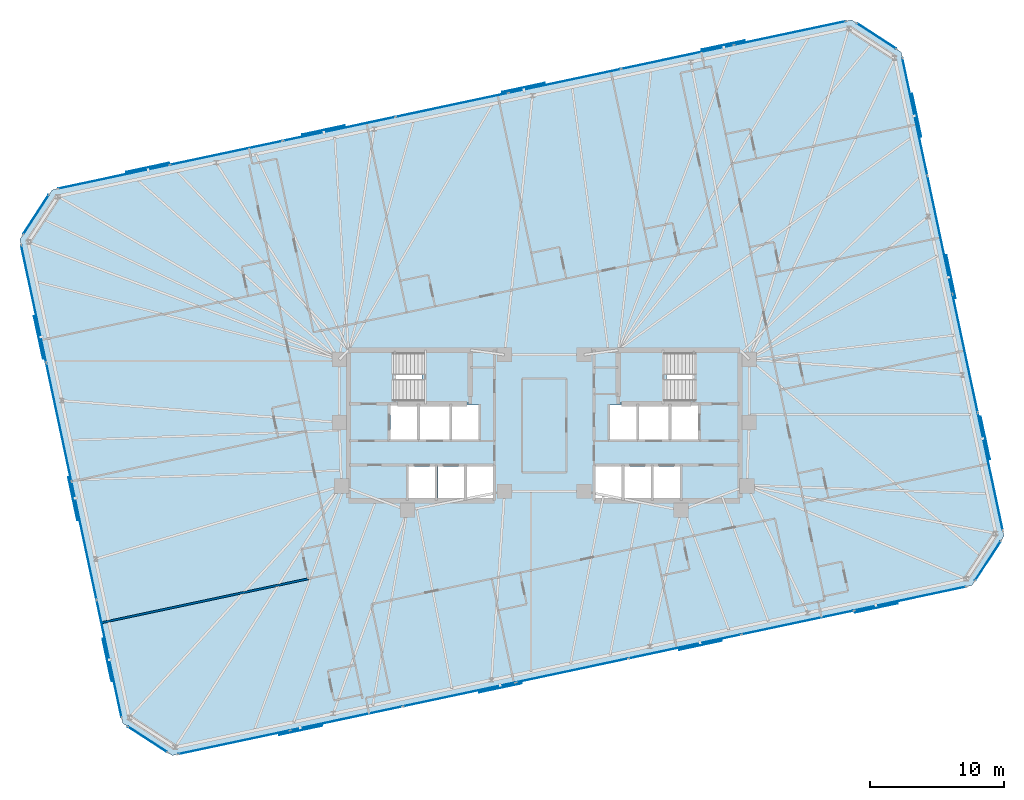
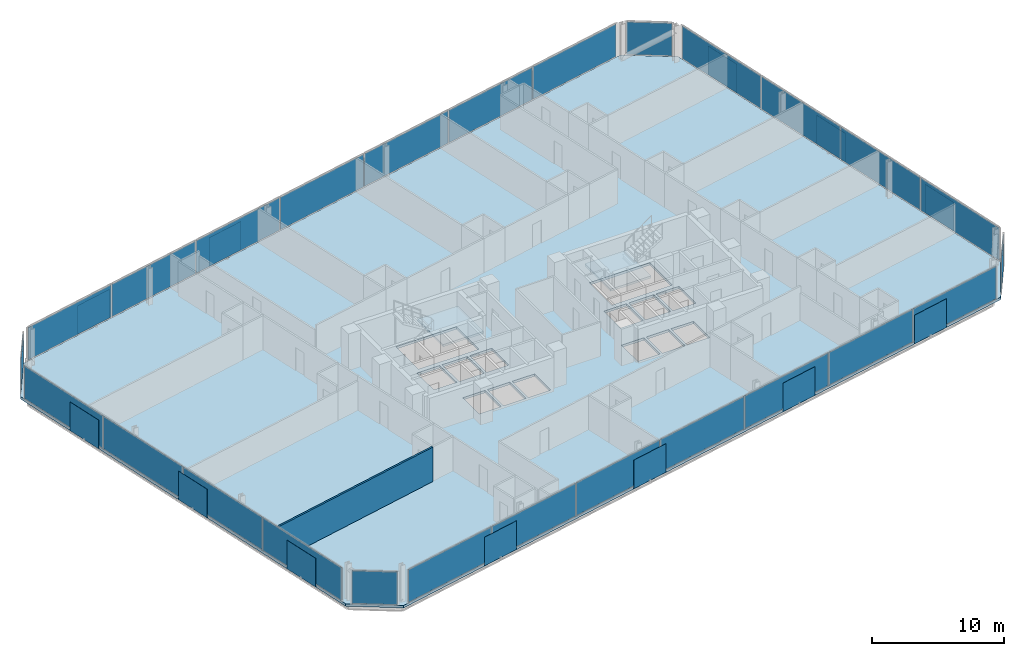
# One storey, part 13 of 19: 40 plates, 3 slabs, 1 wall, 10 elements without a shape of their own.
"""IFC4 building model written with IfcOpenShell, lengths in metres."""

from ifc_helpers import new_model, si_unit, direction, frame, frame_2d, origin, origin_2d, place, context, subcontext, project, spatial, polyline, rectangle, outline, extrude, material, layer, layer_set, type_object, element, aggregate, save


model = new_model("IFC4")

# Units and contexts
model_context = context("Model", 3, precision=1e-05, world=origin(), true_north=direction((0.0, 1.0)))
body_context = subcontext(model_context, "Body", "Model", "MODEL_VIEW")
ifc_project = project(units=[si_unit("LENGTHUNIT", "METRE"), si_unit("AREAUNIT", "SQUARE_METRE"), si_unit("VOLUMEUNIT", "CUBIC_METRE"), si_unit("PLANEANGLEUNIT", "RADIAN"), si_unit("MASSUNIT", "GRAM", prefix="KILO")], contexts=[model_context])

# Site, building, storey
site_placement = place(None, origin())
site = spatial("IfcSite", under=ifc_project, at=site_placement, CompositionType="ELEMENT")
building_placement = place(site_placement, origin())
building = spatial("IfcBuilding", under=site, at=building_placement, Name="Menara Jurai Vektor", CompositionType="ELEMENT")
storey_placement = place(building_placement, frame((0.0, 0.0, 154.800048828125)))
storey = spatial("IfcBuildingStorey", under=building, at=storey_placement, Name="L39", CompositionType="ELEMENT", Elevation=154.800048828125)

# Curtain wall, plates
ifc_material_1 = material(Name="Anodised Pale Aluminium & Low-E Double Glazing", Category="aluminium")
curtain_wall_type = type_object("IfcCurtainWallType", Name="CW-BLK3", PredefinedType="NOTDEFINED", material=ifc_material_1)
curtain_wall_1_placement = place(storey_placement, origin())
curtain_wall_1 = element("IfcCurtainWall", 1, at=curtain_wall_1_placement, inside=storey, type_object=curtain_wall_type, Name="Unitised Curtain Wall L39 F01", PredefinedType="NOTDEFINED")
ifc_material_2 = material(Name="Low-E Solar-Control Double Glazed Unit", Category="glass")
ifc_layer_1 = layer(ifc_material_2, 0.031982421875)
ifc_layer_set_1 = layer_set([ifc_layer_1], Name="Low-E Solar-Control Double Glazed Unit")
plate_type_1 = type_object("IfcPlateType", Name="CW-BLK3-PNL", PredefinedType="CURTAIN_PANEL", material=ifc_layer_set_1)
plate_1_placement = place(storey_placement, frame((-23.078369140625, -23.57568359375, 0.0849609375), z_axis=(0.0, 0.0, 1.0), x_axis=(0.978147674419, 0.207911344156, 0.0)))
plate_1 = element("IfcPlate", 2, at=plate_1_placement, type_object=plate_type_1, Name="CW-03 panel 1.1", PredefinedType="CURTAIN_PANEL", context=body_context, shape_type="SweptSolid", body=[
    extrude(rectangle(XDim=8.44970703125, YDim=0.031982421875, at=origin_2d()), origin(), (0.0, 0.0, 1.0), 3.0048828125),
])
plate_2_placement = place(storey_placement, frame((-14.709228515625, -21.796875, 0.0849609375), z_axis=(0.0, 0.0, 1.0), x_axis=(0.978147674419, 0.207911344156, 0.0)))
plate_2 = element("IfcPlate", 3, at=plate_2_placement, type_object=plate_type_1, Name="CW-03 panel 2.1", PredefinedType="CURTAIN_PANEL", context=body_context, shape_type="SweptSolid", body=[
    extrude(rectangle(XDim=8.4921875, YDim=0.031982421875, at=origin_2d()), origin(), (0.0, 0.0, 1.0), 3.0048828125),
])
plate_3_placement = place(storey_placement, frame((-6.319580078125, -20.013427734375, 0.0849609375), z_axis=(0.0, 0.0, 1.0), x_axis=(0.978147674419, 0.207911344156, 0.0)))
plate_3 = element("IfcPlate", 4, at=plate_3_placement, type_object=plate_type_1, Name="CW-03 panel 3.1", PredefinedType="CURTAIN_PANEL", context=body_context, shape_type="SweptSolid", body=[
    extrude(rectangle(XDim=8.4921875, YDim=0.031982421875, at=origin_2d()), origin(), (0.0, 0.0, 1.0), 3.0048828125),
])
plate_4_placement = place(storey_placement, frame((2.070068359375, -18.230224609375, 0.0849609375), z_axis=(0.0, 0.0, 1.0), x_axis=(0.978147674419, 0.207911344156, 0.0)))
plate_4 = element("IfcPlate", 5, at=plate_4_placement, type_object=plate_type_1, Name="CW-03 panel 4.1", PredefinedType="CURTAIN_PANEL", context=body_context, shape_type="SweptSolid", body=[
    extrude(rectangle(XDim=8.4921875, YDim=0.031982421875, at=origin_2d()), origin(), (0.0, 0.0, 1.0), 3.0048828125),
])
plate_5_placement = place(storey_placement, frame((10.459716796875, -16.447021484375, 0.0849609375), z_axis=(0.0, 0.0, 1.0), x_axis=(0.978147674419, 0.207911344156, 0.0)))
plate_5 = element("IfcPlate", 6, at=plate_5_placement, type_object=plate_type_1, Name="CW-03 panel 5.1", PredefinedType="CURTAIN_PANEL", context=body_context, shape_type="SweptSolid", body=[
    extrude(rectangle(XDim=8.4921875, YDim=0.031982421875, at=origin_2d()), origin(), (0.0, 0.0, 1.0), 3.0048828125),
])
plate_6_placement = place(storey_placement, frame((18.849609375, -14.66357421875, 0.0849609375), z_axis=(0.0, 0.0, 1.0), x_axis=(0.978147674419, 0.207911344156, 0.0)))
plate_6 = element("IfcPlate", 7, at=plate_6_placement, type_object=plate_type_1, Name="CW-03 panel 6.1", PredefinedType="CURTAIN_PANEL", context=body_context, shape_type="SweptSolid", body=[
    extrude(rectangle(XDim=8.4921875, YDim=0.031982421875, at=origin_2d()), origin(), (0.0, 0.0, 1.0), 3.0048828125),
])
plate_7_placement = place(storey_placement, frame((27.218505859375, -12.884765625, 0.0849609375), z_axis=(0.0, 0.0, 1.0), x_axis=(0.978147674419, 0.207911344156, 0.0)))
plate_7 = element("IfcPlate", 8, at=plate_7_placement, type_object=plate_type_1, Name="CW-03 panel 7.1", PredefinedType="CURTAIN_PANEL", context=body_context, shape_type="SweptSolid", body=[
    extrude(rectangle(XDim=8.44970703125, YDim=0.031982421875, at=origin_2d()), origin(), (0.0, 0.0, 1.0), 3.0048828125),
])
aggregate(curtain_wall_1, [plate_1, plate_2, plate_3, plate_4, plate_5, plate_6, plate_7])

curtain_wall_2_placement = place(storey_placement, origin())
curtain_wall_2 = element("IfcCurtainWall", 9, at=curtain_wall_2_placement, inside=storey, type_object=curtain_wall_type, Name="Unitised Curtain Wall L39 F03", PredefinedType="NOTDEFINED")
plate_8_placement = place(storey_placement, frame((33.17333984375, -3.433837890625, 0.0849609375), z_axis=(0.0, 0.0, 1.0), x_axis=(-0.20791035839, 0.978147883949, 0.0)))
plate_8 = element("IfcPlate", 10, at=plate_8_placement, type_object=plate_type_1, Name="CW-03 panel 1.1", PredefinedType="CURTAIN_PANEL", context=body_context, shape_type="SweptSolid", body=[
    extrude(rectangle(XDim=8.882568359375, YDim=0.031982421875, at=origin_2d()), origin(), (0.0, 0.0, 1.0), 3.0048828125),
])
plate_9_placement = place(storey_placement, frame((31.3046875, 5.3583984375, 0.0849609375), z_axis=(0.0, 0.0, 1.0), x_axis=(-0.20791035839, 0.978147883949, 0.0)))
plate_9 = element("IfcPlate", 11, at=plate_9_placement, type_object=plate_type_1, Name="CW-03 panel 2.1", PredefinedType="CURTAIN_PANEL", context=body_context, shape_type="SweptSolid", body=[
    extrude(rectangle(XDim=8.925048828125, YDim=0.031982421875, at=origin_2d()), origin(), (0.0, 0.0, 1.0), 3.0048828125),
])
plate_10_placement = place(storey_placement, frame((29.431396484375, 14.171630859375, 0.0849609375), z_axis=(0.0, 0.0, 1.0), x_axis=(-0.20791035839, 0.978147883949, 0.0)))
plate_10 = element("IfcPlate", 12, at=plate_10_placement, type_object=plate_type_1, Name="CW-03 panel 3.1", PredefinedType="CURTAIN_PANEL", context=body_context, shape_type="SweptSolid", body=[
    extrude(rectangle(XDim=8.925048828125, YDim=0.031982421875, at=origin_2d()), origin(), (0.0, 0.0, 1.0), 3.0048828125),
])
plate_11_placement = place(storey_placement, frame((27.5625, 22.9638671875, 0.0849609375), z_axis=(0.0, 0.0, 1.0), x_axis=(-0.20791035839, 0.978147883949, 0.0)))
plate_11 = element("IfcPlate", 13, at=plate_11_placement, type_object=plate_type_1, Name="CW-03 panel 4.1", PredefinedType="CURTAIN_PANEL", context=body_context, shape_type="SweptSolid", body=[
    extrude(rectangle(XDim=8.882568359375, YDim=0.031982421875, at=origin_2d()), origin(), (0.0, 0.0, 1.0), 3.0048828125),
])
aggregate(curtain_wall_2, [plate_8, plate_9, plate_10, plate_11])

curtain_wall_3_placement = place(storey_placement, origin())
curtain_wall_3 = element("IfcCurtainWall", 14, at=curtain_wall_3_placement, inside=storey, type_object=curtain_wall_type, Name="Unitised Curtain Wall L39 F05", PredefinedType="NOTDEFINED")
plate_12_placement = place(storey_placement, frame((18.2783203125, 29.175537109375, 0.0849609375), z_axis=(0.0, 0.0, 1.0), x_axis=(-0.978147674419, -0.207911344156, 0.0)))
plate_12 = element("IfcPlate", 15, at=plate_12_placement, type_object=plate_type_1, Name="CW-03 panel 1.1", PredefinedType="CURTAIN_PANEL", context=body_context, shape_type="SweptSolid", body=[
    extrude(rectangle(XDim=8.44970703125, YDim=0.031982421875, at=origin_2d()), origin(), (0.0, 0.0, 1.0), 3.0048828125),
])
plate_13_placement = place(storey_placement, frame((9.909423828125, 27.396728515625, 0.0849609375), z_axis=(0.0, 0.0, 1.0), x_axis=(-0.978147674419, -0.207911344156, 0.0)))
plate_13 = element("IfcPlate", 16, at=plate_13_placement, type_object=plate_type_1, Name="CW-03 panel 2.1", PredefinedType="CURTAIN_PANEL", context=body_context, shape_type="SweptSolid", body=[
    extrude(rectangle(XDim=8.4921875, YDim=0.031982421875, at=origin_2d()), origin(), (0.0, 0.0, 1.0), 3.0048828125),
])
plate_14_placement = place(storey_placement, frame((1.51953125, 25.613525390625, 0.0849609375), z_axis=(0.0, 0.0, 1.0), x_axis=(-0.978147674419, -0.207911344156, 0.0)))
plate_14 = element("IfcPlate", 17, at=plate_14_placement, type_object=plate_type_1, Name="CW-03 panel 3.1", PredefinedType="CURTAIN_PANEL", context=body_context, shape_type="SweptSolid", body=[
    extrude(rectangle(XDim=8.4921875, YDim=0.031982421875, at=origin_2d()), origin(), (0.0, 0.0, 1.0), 3.0048828125),
])
plate_15_placement = place(storey_placement, frame((-6.8701171875, 23.830078125, 0.0849609375), z_axis=(0.0, 0.0, 1.0), x_axis=(-0.978147674419, -0.207911344156, 0.0)))
plate_15 = element("IfcPlate", 18, at=plate_15_placement, type_object=plate_type_1, Name="CW-03 panel 4.1", PredefinedType="CURTAIN_PANEL", context=body_context, shape_type="SweptSolid", body=[
    extrude(rectangle(XDim=8.4921875, YDim=0.031982421875, at=origin_2d()), origin(), (0.0, 0.0, 1.0), 3.0048828125),
])
plate_16_placement = place(storey_placement, frame((-15.259765625, 22.046875, 0.0849609375), z_axis=(0.0, 0.0, 1.0), x_axis=(-0.978147674419, -0.207911344156, 0.0)))
plate_16 = element("IfcPlate", 19, at=plate_16_placement, type_object=plate_type_1, Name="CW-03 panel 5.1", PredefinedType="CURTAIN_PANEL", context=body_context, shape_type="SweptSolid", body=[
    extrude(rectangle(XDim=8.4921875, YDim=0.031982421875, at=origin_2d()), origin(), (0.0, 0.0, 1.0), 3.0048828125),
])
plate_17_placement = place(storey_placement, frame((-23.6494140625, 20.263671875, 0.0849609375), z_axis=(0.0, 0.0, 1.0), x_axis=(-0.978147674419, -0.207911344156, 0.0)))
plate_17 = element("IfcPlate", 20, at=plate_17_placement, type_object=plate_type_1, Name="CW-03 panel 6.1", PredefinedType="CURTAIN_PANEL", context=body_context, shape_type="SweptSolid", body=[
    extrude(rectangle(XDim=8.4921875, YDim=0.031982421875, at=origin_2d()), origin(), (0.0, 0.0, 1.0), 3.0048828125),
])
plate_18_placement = place(storey_placement, frame((-32.0185546875, 18.48486328125, 0.0849609375), z_axis=(0.0, 0.0, 1.0), x_axis=(-0.978147674419, -0.207911344156, 0.0)))
plate_18 = element("IfcPlate", 21, at=plate_18_placement, type_object=plate_type_1, Name="CW-03 panel 7.1", PredefinedType="CURTAIN_PANEL", context=body_context, shape_type="SweptSolid", body=[
    extrude(rectangle(XDim=8.44970703125, YDim=0.031982421875, at=origin_2d()), origin(), (0.0, 0.0, 1.0), 3.0048828125),
])
aggregate(curtain_wall_3, [plate_12, plate_13, plate_14, plate_15, plate_16, plate_17, plate_18])

curtain_wall_4_placement = place(storey_placement, origin())
curtain_wall_4 = element("IfcCurtainWall", 22, at=curtain_wall_4_placement, inside=storey, type_object=curtain_wall_type, Name="Unitised Curtain Wall L39 F07", PredefinedType="NOTDEFINED")
plate_19_placement = place(storey_placement, frame((-37.973388671875, 9.033935546875, 0.0849609375), z_axis=(0.0, 0.0, 1.0), x_axis=(0.20791035839, -0.978147883949, 0.0)))
plate_19 = element("IfcPlate", 23, at=plate_19_placement, type_object=plate_type_1, Name="CW-03 panel 1.1", PredefinedType="CURTAIN_PANEL", context=body_context, shape_type="SweptSolid", body=[
    extrude(rectangle(XDim=8.882568359375, YDim=0.031982421875, at=origin_2d()), origin(), (0.0, 0.0, 1.0), 3.0048828125),
])
plate_20_placement = place(storey_placement, frame((-36.1044921875, 0.241455078125, 0.0849609375), z_axis=(0.0, 0.0, 1.0), x_axis=(0.20791035839, -0.978147883949, 0.0)))
plate_20 = element("IfcPlate", 24, at=plate_20_placement, type_object=plate_type_1, Name="CW-03 panel 2.1", PredefinedType="CURTAIN_PANEL", context=body_context, shape_type="SweptSolid", body=[
    extrude(rectangle(XDim=8.925048828125, YDim=0.031982421875, at=origin_2d()), origin(), (0.0, 0.0, 1.0), 3.0048828125),
])
plate_21_placement = place(storey_placement, frame((-34.231201171875, -8.571533203125, 0.0849609375), z_axis=(0.0, 0.0, 1.0), x_axis=(0.20791035839, -0.978147883949, 0.0)))
plate_21 = element("IfcPlate", 25, at=plate_21_placement, type_object=plate_type_1, Name="CW-03 panel 3.1", PredefinedType="CURTAIN_PANEL", context=body_context, shape_type="SweptSolid", body=[
    extrude(rectangle(XDim=8.925048828125, YDim=0.031982421875, at=origin_2d()), origin(), (0.0, 0.0, 1.0), 3.0048828125),
])
plate_22_placement = place(storey_placement, frame((-32.362548828125, -17.364013671875, 0.0849609375), z_axis=(0.0, 0.0, 1.0), x_axis=(0.20791035839, -0.978147883949, 0.0)))
plate_22 = element("IfcPlate", 26, at=plate_22_placement, type_object=plate_type_1, Name="CW-03 panel 4.1", PredefinedType="CURTAIN_PANEL", context=body_context, shape_type="SweptSolid", body=[
    extrude(rectangle(XDim=8.882568359375, YDim=0.031982421875, at=origin_2d()), origin(), (0.0, 0.0, 1.0), 3.0048828125),
])
aggregate(curtain_wall_4, [plate_19, plate_20, plate_21, plate_22])

# Curtain wall, plate
curtain_wall_5_placement = place(storey_placement, origin())
curtain_wall_5 = element("IfcCurtainWall", 27, at=curtain_wall_5_placement, inside=storey, type_object=curtain_wall_type, Name="Unitised Curtain Wall L39 F02", PredefinedType="NOTDEFINED")
ifc_material_3 = material(Name="Insulated Pale Aluminium Spandrel Panel", Category="aluminium")
ifc_layer_2 = layer(ifc_material_3, 0.06005859375)
ifc_layer_set_2 = layer_set([ifc_layer_2], Name="Insulated Pale Aluminium Spandrel Panel")
plate_type_2 = type_object("IfcPlateType", Name="CW-PNL-SP", PredefinedType="CURTAIN_PANEL", material=ifc_layer_set_2)
plate_23_placement = place(storey_placement, frame((32.999755859375, -10.0712890625, 0.0849609375), z_axis=(0.0, 0.0, 1.0), x_axis=(0.544617794346, 0.838684361415, 0.0)))
plate_23 = element("IfcPlate", 28, at=plate_23_placement, type_object=plate_type_2, Name="CW-03 panel 1.1", PredefinedType="CURTAIN_PANEL", context=body_context, shape_type="SweptSolid", body=[
    extrude(rectangle(XDim=3.4541015625, YDim=0.06005859375, at=origin_2d()), origin(), (0.0, 0.0, 1.0), 3.0048828125),
])
aggregate(curtain_wall_5, [plate_23])

curtain_wall_6_placement = place(storey_placement, origin())
curtain_wall_6 = element("IfcCurtainWall", 29, at=curtain_wall_6_placement, inside=storey, type_object=curtain_wall_type, Name="Unitised Curtain Wall L39 F04", PredefinedType="NOTDEFINED")
plate_24_placement = place(storey_placement, frame((24.7041015625, 28.956787109375, 0.0849609375), z_axis=(0.0, 0.0, 1.0), x_axis=(-0.838684361415, 0.544617794346, 0.0)))
plate_24 = element("IfcPlate", 30, at=plate_24_placement, type_object=plate_type_2, Name="CW-03 panel 1.1", PredefinedType="CURTAIN_PANEL", context=body_context, shape_type="SweptSolid", body=[
    extrude(rectangle(XDim=3.4541015625, YDim=0.06005859375, at=origin_2d()), origin(), (0.0, 0.0, 1.0), 3.0048828125),
])
aggregate(curtain_wall_6, [plate_24])

curtain_wall_7_placement = place(storey_placement, origin())
curtain_wall_7 = element("IfcCurtainWall", 31, at=curtain_wall_7_placement, inside=storey, type_object=curtain_wall_type, Name="Unitised Curtain Wall L39 F06", PredefinedType="NOTDEFINED")
plate_25_placement = place(storey_placement, frame((-37.799560546875, 15.67138671875, 0.0849609375), z_axis=(0.0, 0.0, 1.0), x_axis=(-0.544617794346, -0.838684361415, 0.0)))
plate_25 = element("IfcPlate", 32, at=plate_25_placement, type_object=plate_type_2, Name="CW-03 panel 1.1", PredefinedType="CURTAIN_PANEL", context=body_context, shape_type="SweptSolid", body=[
    extrude(rectangle(XDim=3.4541015625, YDim=0.06005859375, at=origin_2d()), origin(), (0.0, 0.0, 1.0), 3.0048828125),
])
aggregate(curtain_wall_7, [plate_25])

curtain_wall_8_placement = place(storey_placement, origin())
curtain_wall_8 = element("IfcCurtainWall", 33, at=curtain_wall_8_placement, inside=storey, type_object=curtain_wall_type, Name="Unitised Curtain Wall L39 F08", PredefinedType="NOTDEFINED")
plate_26_placement = place(storey_placement, frame((-29.50390625, -23.35693359375, 0.0849609375), z_axis=(0.0, 0.0, 1.0), x_axis=(0.838684361415, -0.544617794346, 0.0)))
plate_26 = element("IfcPlate", 34, at=plate_26_placement, type_object=plate_type_2, Name="CW-03 panel 1.1", PredefinedType="CURTAIN_PANEL", context=body_context, shape_type="SweptSolid", body=[
    extrude(rectangle(XDim=3.4541015625, YDim=0.06005859375, at=origin_2d()), origin(), (0.0, 0.0, 1.0), 3.0048828125),
])
aggregate(curtain_wall_8, [plate_26])

# Plates
ifc_material_4 = material(Name="Anodised Pale Aluminium Perforated Screen", Category="aluminium")
ifc_layer_3 = layer(ifc_material_4, 0.02294921875)
ifc_layer_set_3 = layer_set([ifc_layer_3], Name="Anodised Pale Aluminium Perforated Screen")
plate_type_3 = type_object("IfcPlateType", Name="ENV-PLT-SCREEN-MID", PredefinedType="USERDEFINED", material=ifc_layer_set_3)
for number, where, z_axis, x_axis, name in (
    (35, (-18.116943359375, -22.6845703125, -0.050048828125), (0.0, 0.0, 1.0), (0.978147600734, 0.207911690818, 0.0), "Perforated Pale-Metal Solar Screen L39-S01"),
    (36, (-3.2490234375, -19.5244140625, -0.050048828125), (0.0, 0.0, 1.0), (0.978147600734, 0.207911690818, 0.0), "Perforated Pale-Metal Solar Screen L39-S02"),
    (37, (11.618896484375, -16.364013671875, -0.050048828125), (0.0, 0.0, 1.0), (0.978147600734, 0.207911690818, 0.0), "Perforated Pale-Metal Solar Screen L39-S03"),
    (38, (24.702392578125, -13.5830078125, -0.050048828125), (0.0, 0.0, 1.0), (0.978147600734, 0.207911690818, 0.0), "Perforated Pale-Metal Solar Screen L39-S04"),
    (39, (32.806884765625, -0.9404296875, -0.050048828125), (0.0, 0.0, 1.0), (-0.207911690818, 0.978147600734, 0.0), "Perforated Pale-Metal Solar Screen L39-S05"),
    (40, (30.256591796875, 11.05810546875, -0.050048828125), (0.0, 0.0, 1.0), (-0.207911690818, 0.978147600734, 0.0), "Perforated Pale-Metal Solar Screen L39-S06"),
    (41, (27.706298828125, 23.056884765625, -0.050048828125), (0.0, 0.0, 1.0), (-0.207911690818, 0.978147600734, 0.0), "Perforated Pale-Metal Solar Screen L39-S07"),
    (42, (13.31689453125, 28.28466796875, -0.050048828125), (0.0, 0.0, 1.0), (-0.978147600734, -0.207911690818, 0.0), "Perforated Pale-Metal Solar Screen L39-S08"),
    (43, (-1.55078125, 25.12451171875, -0.050048828125), (0.0, 0.0, 1.0), (-0.978147600734, -0.207911690818, 0.0), "Perforated Pale-Metal Solar Screen L39-S09"),
    (44, (-16.418701171875, 21.964111328125, -0.050048828125), (0.0, 0.0, 1.0), (-0.978147600734, -0.207911690818, 0.0), "Perforated Pale-Metal Solar Screen L39-S10"),
    (45, (-29.50244140625, 19.18310546875, -0.050048828125), (0.0, 0.0, 1.0), (-0.978147600734, -0.207911690818, 0.0), "Perforated Pale-Metal Solar Screen L39-S11"),
    (46, (-37.60693359375, 6.54052734375, -0.050048828125), (0.0, 0.0, 1.0), (0.207911690818, -0.978147600734, 0.0), "Perforated Pale-Metal Solar Screen L39-S12"),
    (47, (-35.056640625, -5.458251953125, -0.050048828125), (0.0, 0.0, 1.0), (0.207911690818, -0.978147600734, 0.0), "Perforated Pale-Metal Solar Screen L39-S13"),
    (48, (-32.50634765625, -17.456787109375, -0.050048828125), (0.0, 0.0, 1.0), (0.207911690818, -0.978147600734, 0.0), "Perforated Pale-Metal Solar Screen L39-S14"),
):
    element("IfcPlate", number, at=place(storey_placement, frame(where, z_axis=z_axis, x_axis=x_axis)), inside=storey, type_object=plate_type_3, Name=name, ObjectType="SCREEN", PredefinedType="USERDEFINED", context=body_context, shape_type="SweptSolid", body=[
        extrude(rectangle(XDim=3.25, YDim=0.02294921875, at=origin_2d()), origin(), (0.0, 0.0, 1.0), 2.64990234375),
    ])

# Stair, slab
ifc_material_5 = material(Name="Concrete C40/50", Category="concrete")
stair_type = type_object("IfcStairType", Name="STAIR-DOGLEG-1500", PredefinedType="HALF_TURN_STAIR", material=ifc_material_5)
stair_1_placement = place(storey_placement, origin())
stair_1 = element("IfcStair", 49, at=stair_1_placement, inside=storey, type_object=stair_type, Name="Protected Exit Stair ST1 L39", PredefinedType="HALF_TURN_STAIR")
ifc_layer_4 = layer(ifc_material_5, 0.199951171875)
ifc_layer_set_4 = layer_set([ifc_layer_4], Name="Concrete C40/50")
slab_type_1 = type_object("IfcSlabType", Name="STAIR-LANDING-200", PredefinedType="LANDING", material=ifc_layer_set_4)
slab_1_placement = place(storey_placement, frame((0.0, 0.0, 1.5)))
slab_1 = element("IfcSlab", 50, at=slab_1_placement, type_object=slab_type_1, Name="ST1 landing 1", PredefinedType="LANDING", context=body_context, shape_type="SweptSolid", body=[
    extrude(outline(polyline([(-9.080078125, 1.64990234375), (-5.550048828125, 1.64990234375), (-5.550048828125, 5.550048828125), (-9.080078125, 5.550048828125), (-9.080078125, 1.64990234375)])), origin(), (0.0, 0.0, 1.0), 0.199951171875),
])
aggregate(stair_1, [slab_1])

stair_2_placement = place(storey_placement, origin())
stair_2 = element("IfcStair", 51, at=stair_2_placement, inside=storey, type_object=stair_type, Name="Protected Exit Stair ST2 L39", PredefinedType="HALF_TURN_STAIR")
slab_2_placement = place(storey_placement, frame((0.0, 0.0, 1.5)))
slab_2 = element("IfcSlab", 52, at=slab_2_placement, type_object=slab_type_1, Name="ST2 landing 1", PredefinedType="LANDING", context=body_context, shape_type="SweptSolid", body=[
    extrude(outline(polyline([(5.550048828125, 1.64990234375), (9.080078125, 1.64990234375), (9.080078125, 5.550048828125), (5.550048828125, 5.550048828125), (5.550048828125, 1.64990234375)])), origin(), (0.0, 0.0, 1.0), 0.199951171875),
])
aggregate(stair_2, [slab_2])

# Slab
ifc_layer_5 = layer(ifc_material_5, 0.22509765625)
ifc_layer_set_5 = layer_set([ifc_layer_5], Name="Concrete C40/50")
slab_type_2 = type_object("IfcSlabType", Name="STR-SLAB-TYP200", PredefinedType="FLOOR", material=ifc_layer_set_5)
slab_3_placement = place(storey_placement, frame((0.0, 0.0, -0.22509765625)))
element("IfcSlab", 53, at=slab_3_placement, inside=storey, type_object=slab_type_2, Name="Composite Floor Slab L39", PredefinedType="FLOOR", context=body_context, shape_type="SweptSolid", body=[
    extrude(outline(polyline([(-27.66552734375, -24.55078125), (31.805908203125, -11.90966796875), (34.193603515625, -8.23291015625), (26.54248046875, 27.762939453125), (22.865478515625, 30.150634765625), (-36.605712890625, 17.509765625), (-38.993408203125, 13.8330078125), (-31.34228515625, -22.1630859375), (-27.66552734375, -24.55078125)]), holes=[polyline([(-11.10009765625, 1.89990234375), (-11.10009765625, 5.300048828125), (-5.800048828125, 5.300048828125), (-5.800048828125, 1.89990234375), (-11.10009765625, 1.89990234375)]), polyline([(5.800048828125, 1.89990234375), (5.800048828125, 5.300048828125), (11.10009765625, 5.300048828125), (11.10009765625, 1.89990234375), (5.800048828125, 1.89990234375)]), polyline([(-11.449951171875, -1.050048828125), (-11.449951171875, 1.5), (-9.449951171875, 1.5), (-9.449951171875, -1.050048828125), (-11.449951171875, -1.050048828125)]), polyline([(9.449951171875, -1.050048828125), (9.449951171875, 1.5), (11.449951171875, 1.5), (11.449951171875, -1.050048828125), (9.449951171875, -1.050048828125)]), polyline([(-5.760009765625, -5.5), (-5.760009765625, -3.050048828125), (-3.800048828125, -3.050048828125), (-3.800048828125, -5.5), (-5.760009765625, -5.5)]), polyline([(-6.85009765625, -1.050048828125), (-6.85009765625, 1.5), (-4.889892578125, 1.5), (-4.889892578125, -1.050048828125), (-6.85009765625, -1.050048828125)]), polyline([(3.800048828125, -5.5), (3.800048828125, -3.050048828125), (5.760009765625, -3.050048828125), (5.760009765625, -5.5), (3.800048828125, -5.5)]), polyline([(4.889892578125, -1.050048828125), (4.889892578125, 1.5), (6.85009765625, 1.5), (6.85009765625, -1.050048828125), (4.889892578125, -1.050048828125)]), polyline([(-10.080078125, -5.5), (-10.080078125, -3.050048828125), (-8.1201171875, -3.050048828125), (-8.1201171875, -5.5), (-10.080078125, -5.5)]), polyline([(-7.919921875, -5.5), (-7.919921875, -3.050048828125), (-5.9599609375, -3.050048828125), (-5.9599609375, -5.5), (-7.919921875, -5.5)]), polyline([(5.9599609375, -5.5), (5.9599609375, -3.050048828125), (7.919921875, -3.050048828125), (7.919921875, -5.5), (5.9599609375, -5.5)]), polyline([(8.1201171875, -5.5), (8.1201171875, -3.050048828125), (10.080078125, -3.050048828125), (10.080078125, -5.5), (8.1201171875, -5.5)]), polyline([(-9.25, -1.050048828125), (-9.25, 1.5), (-7.050048828125, 1.5), (-7.050048828125, -1.050048828125), (-9.25, -1.050048828125)]), polyline([(7.050048828125, -1.050048828125), (7.050048828125, 1.5), (9.25, 1.5), (9.25, -1.050048828125), (7.050048828125, -1.050048828125)])]), origin(), (0.0, 0.0, 1.0), 0.22509765625),
])

# Wall
ifc_material_6 = material(Name="Gypsum Fireboard Partition", Category="gypsum")
ifc_layer_6 = layer(ifc_material_6, 0.14990234375)
ifc_layer_set_6 = layer_set([ifc_layer_6], Name="Gypsum Fireboard Partition")
wall_type = type_object("IfcWallType", Name="INT-WALL-CORR-150", PredefinedType="PARTITIONING", material=ifc_layer_set_6)
wall_placement = place(storey_placement, frame((-32.932861328125, -14.68017578125, 0.0), z_axis=(0.0, 0.0, 1.0), x_axis=(0.978146137903, 0.207918572776, 0.0)))
element("IfcWall", 54, at=wall_placement, inside=storey, type_object=wall_type, Name="Interior Wall IW-150 L39", PredefinedType="PARTITIONING", context=body_context, shape_type="SweptSolid", body=[
    extrude(rectangle(XDim=15.718017578125, YDim=0.14990234375, at=frame_2d((7.85888671875, 0.0))), origin(), (0.0, 0.0, 1.0), 3.175048828125),
])

save(model, "model.ifc")
